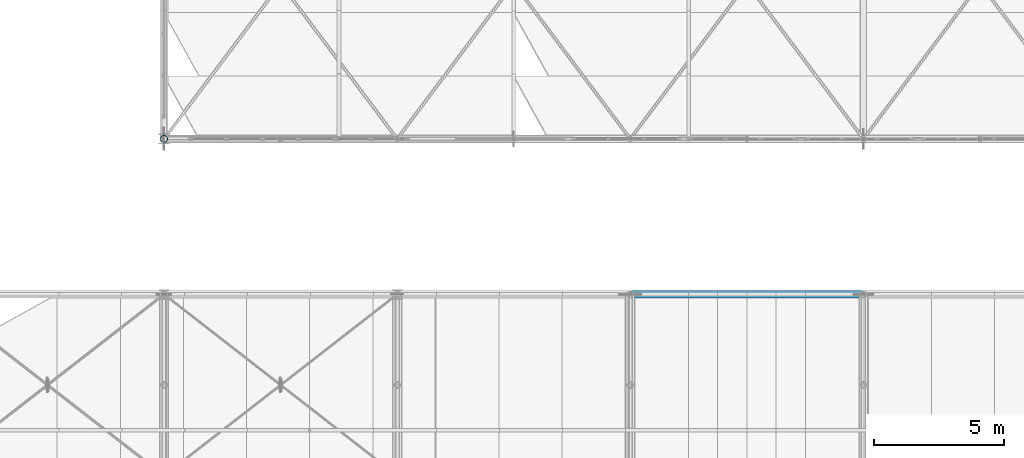
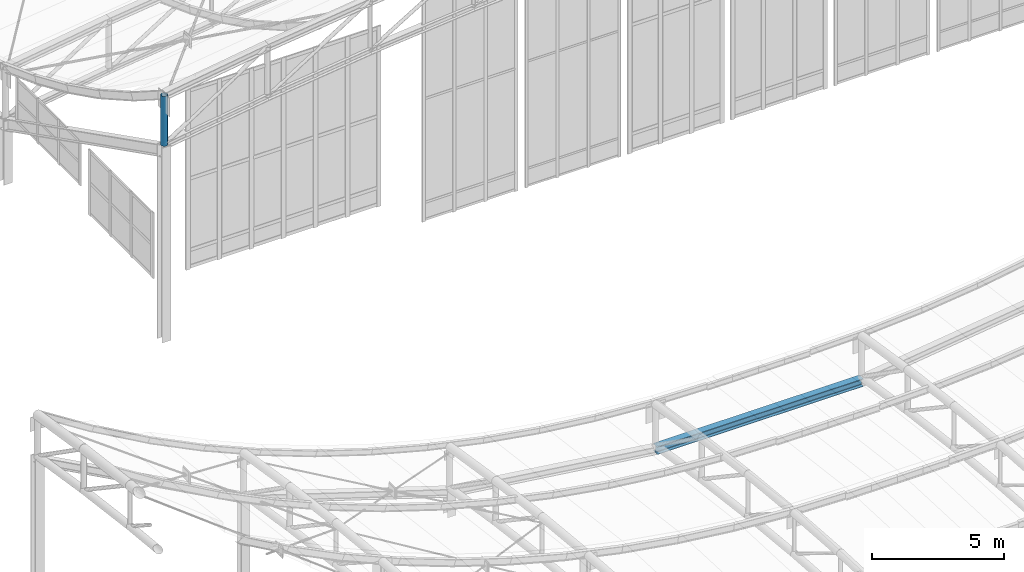
# One storey, part 40 of 262: 1 beam, 1 member.
"""IFC4 building model written with IfcOpenShell, lengths in metres."""

from ifc_helpers import new_model, si_unit, derived_unit, direction, frame, origin, origin_2d, place, context, subcontext, project, spatial, hollow_circle, i_section, extrude, material, material_profile, profile_set, type_object, element, save


model = new_model("IFC4")

# Units and contexts
model_context = context("Model", 3, precision=1e-05, world=origin(), true_north=direction((0.0, 1.0)))
body_context = subcontext(model_context, "Body", "Model", "MODEL_VIEW")
ifc_project = project(units=[si_unit("LENGTHUNIT", "METRE"), si_unit("AREAUNIT", "SQUARE_METRE"), si_unit("VOLUMEUNIT", "CUBIC_METRE"), si_unit("PLANEANGLEUNIT", "RADIAN"), si_unit("MASSUNIT", "GRAM", prefix="KILO"), derived_unit("THERMALTRANSMITTANCEUNIT", [(si_unit("POWERUNIT", "WATT"), 1), (si_unit("LENGTHUNIT", "METRE"), -2), (si_unit("THERMODYNAMICTEMPERATUREUNIT", "KELVIN"), -1)])], contexts=[model_context])

# Site, building, storey
site_placement = place(None, origin())
site = spatial("IfcSite", under=ifc_project, at=site_placement, CompositionType="ELEMENT")
building_placement = place(site_placement, origin())
building = spatial("IfcBuilding", under=site, at=building_placement, Name="Almenara Railside Exhibition Hall", CompositionType="ELEMENT")
storey_placement = place(building_placement, frame((0.0, 0.0, 21.699951171875)))
storey = spatial("IfcBuildingStorey", under=building, at=storey_placement, Name="RF", CompositionType="ELEMENT", Elevation=21.699951171875)

# Beam
ifc_material = material(Name="Structural steel S355JR", Category="steel")
ifc_material_profile_1 = material_profile(ifc_material, i_section(OverallWidth=0.300048828125, OverallDepth=0.360107421875, WebThickness=0.012451171875, FlangeThickness=0.0224609375, FilletRadius=0.027099609375, at=origin_2d()), Name="HEB 360")
ifc_profile_set_1 = profile_set([ifc_material_profile_1], Name="Structural steel S355JR")
beam_type = type_object("IfcBeamType", Name="Steel Portal Girder HEB 360 S355JR", PredefinedType="USERDEFINED", material=ifc_profile_set_1)
beam_placement = place(storey_placement, frame((30.0, 42.0, -10.131591796875), z_axis=(1.0, 0.0, 0.0), x_axis=(0.0, 1.0, 0.0)))
element("IfcBeam", 1, at=beam_placement, inside=storey, type_object=beam_type, Name="Beam 0996", ObjectType="GIRDER", PredefinedType="USERDEFINED", context=body_context, shape_type="SweptSolid", body=[
    extrude(i_section(OverallWidth=0.300048828125, OverallDepth=0.360107421875, WebThickness=0.012451171875, FlangeThickness=0.0224609375, FilletRadius=0.027099609375, at=origin_2d()), origin(), (0.0, 0.0, 1.0), 9.0),
])

# Member
ifc_material_profile_2 = material_profile(ifc_material, hollow_circle(Radius=0.136474609375, WallThickness=0.008056640625, at=origin_2d()), Name="CHS 273x8")
ifc_profile_set_2 = profile_set([ifc_material_profile_2], Name="Structural steel S355JR")
member_type = type_object("IfcMemberType", Name="Truss Support Vertical Strut CHS 273x8 S355JR", PredefinedType="BRACE", material=ifc_profile_set_2)
member_placement = place(storey_placement, frame((12.0, 48.0, 6.60009765625), z_axis=(0.0, 0.0, 1.0), x_axis=(1.0, 0.0, 0.0)))
element("IfcMember", 2, at=member_placement, inside=storey, type_object=member_type, Name="MEM-TV-V1-00-00", PredefinedType="BRACE", context=body_context, shape_type="SweptSolid", body=[
    extrude(hollow_circle(Radius=0.136474609375, WallThickness=0.008056640625, at=origin_2d()), origin(), (0.0, 0.0, 1.0), 2.300048828125),
])

save(model, "model.ifc")
